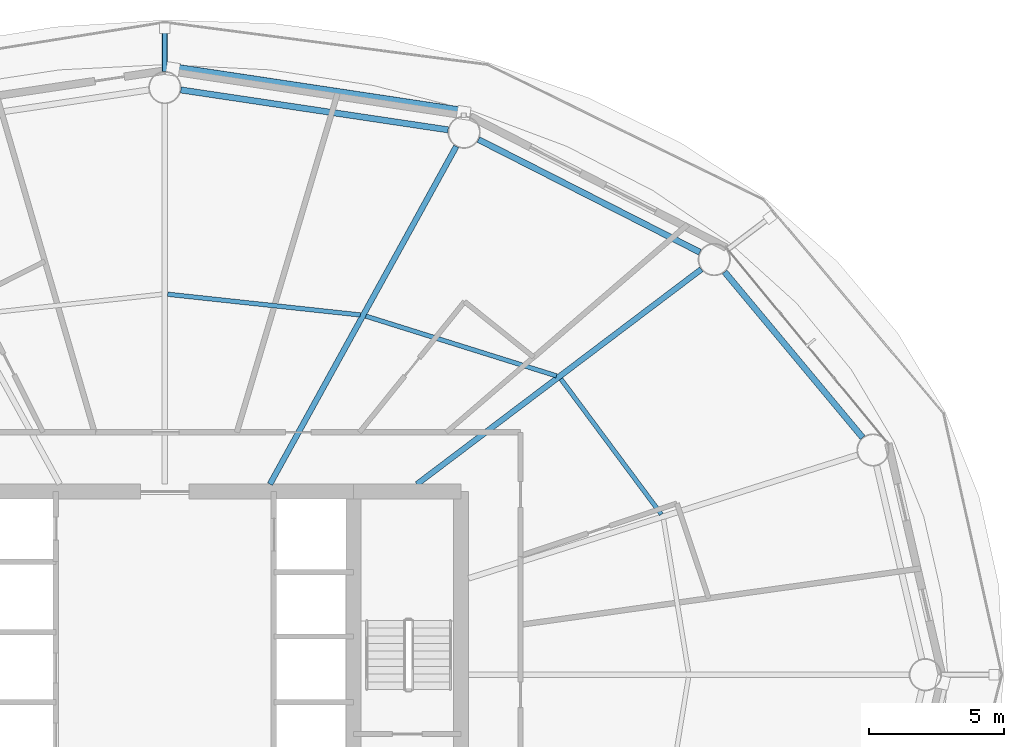
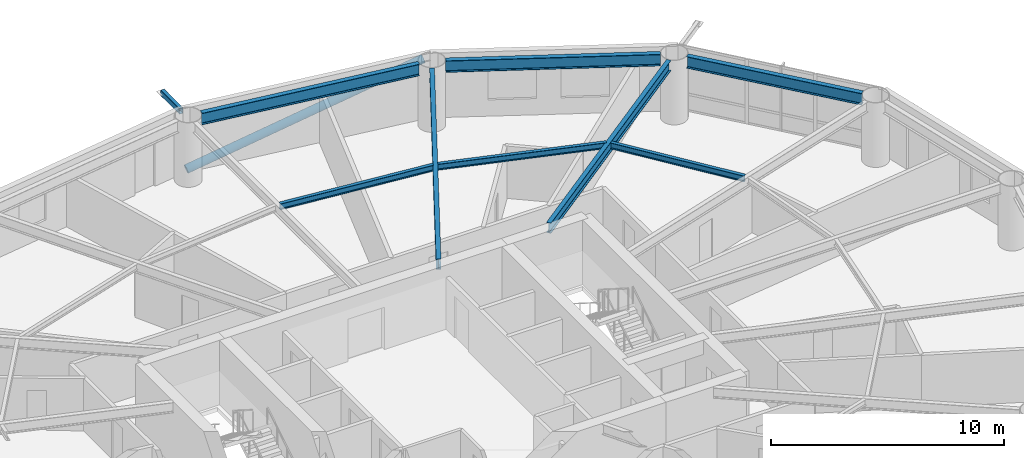
# One storey, part 11 of 24: 8 beams, 2 members.
"""IFC4 building model written with IfcOpenShell, lengths in metres."""

from ifc_helpers import new_model, si_unit, direction, frame, origin, origin_2d, place, context, subcontext, project, spatial, hollow_rectangle, hollow_circle, i_section, extrude, material, material_profile, profile_set, type_object, element, save


model = new_model("IFC4")

# Units and contexts
model_context = context("Model", 3, precision=1e-05, world=origin(), true_north=direction((0.0, 1.0)))
body_context = subcontext(model_context, "Body", "Model", "MODEL_VIEW")
ifc_project = project(units=[si_unit("LENGTHUNIT", "METRE"), si_unit("AREAUNIT", "SQUARE_METRE"), si_unit("VOLUMEUNIT", "CUBIC_METRE"), si_unit("PLANEANGLEUNIT", "RADIAN"), si_unit("MASSUNIT", "GRAM", prefix="KILO")], contexts=[model_context])

# Site, building, storey
site_placement = place(None, origin())
site = spatial("IfcSite", under=ifc_project, at=site_placement, CompositionType="ELEMENT")
building_placement = place(site_placement, origin())
building = spatial("IfcBuilding", under=site, at=building_placement, Name="Sarneth Arch Tower", CompositionType="ELEMENT")
storey_placement = place(building_placement, frame((0.0, 0.0, 116.39990234375)))
storey = spatial("IfcBuildingStorey", under=building, at=storey_placement, Name="L29", CompositionType="ELEMENT", Elevation=116.39990234375)

# Beams
ifc_material_1 = material(Name="Steel S355", Category="steel")
ifc_material_profile_1 = material_profile(ifc_material_1, i_section(OverallWidth=0.1669921875, OverallDepth=0.31689453125, WebThickness=0.007568359375, FlangeThickness=0.01318359375, FilletRadius=0.012939453125, at=origin_2d()), Name="W310x52")
ifc_profile_set_1 = profile_set([ifc_material_profile_1], Name="Steel S355")
beam_type_1 = type_object("IfcBeamType", Name="BM-JOIST-310B", PredefinedType="JOIST", material=ifc_profile_set_1)
beam_1_placement = place(storey_placement, frame((66.434326171875, 47.9541015625, 3.2216796875), z_axis=(-0.596098474255, 0.802911333206, 0.0), x_axis=(-0.802911333206, -0.596098474255, 0.0)))
element("IfcBeam", 1, at=beam_1_placement, inside=storey, type_object=beam_type_1, Name="L29 Secondary floor joist 02", PredefinedType="JOIST", context=body_context, shape_type="SweptSolid", body=[
    extrude(i_section(OverallWidth=0.1669921875, OverallDepth=0.31689453125, WebThickness=0.007568359375, FlangeThickness=0.01318359375, FilletRadius=0.012939453125, at=origin_2d()), origin(), (0.0, 0.0, 1.0), 6.259033203125),
])
beam_2_placement = place(storey_placement, frame((62.539794921875, 53.095703125, 3.2216796875), z_axis=(-0.954245982384, 0.299022750146, 0.0), x_axis=(-0.299022750146, -0.954245982384, 0.0)))
element("IfcBeam", 2, at=beam_2_placement, inside=storey, type_object=beam_type_1, Name="L29 Secondary floor joist 03", PredefinedType="JOIST", context=body_context, shape_type="SweptSolid", body=[
    extrude(i_section(OverallWidth=0.1669921875, OverallDepth=0.31689453125, WebThickness=0.007568359375, FlangeThickness=0.01318359375, FilletRadius=0.012939453125, at=origin_2d()), origin(), (0.0, 0.0, 1.0), 7.416748046875),
])
beam_3_placement = place(storey_placement, frame((55.2568359375, 55.3564453125, 3.2216796875), z_axis=(-0.994257420028, 0.107014871487, 0.0), x_axis=(-0.107014871487, -0.994257420028, 0.0)))
element("IfcBeam", 3, at=beam_3_placement, inside=storey, type_object=beam_type_1, Name="L29 Secondary floor joist 04", PredefinedType="JOIST", context=body_context, shape_type="SweptSolid", body=[
    extrude(i_section(OverallWidth=0.1669921875, OverallDepth=0.31689453125, WebThickness=0.007568359375, FlangeThickness=0.01318359375, FilletRadius=0.012939453125, at=origin_2d()), origin(), (0.0, 0.0, 1.0), 7.193115234375),
])
ifc_material_2 = material(Name="Steel S355", Category="steel")
ifc_material_profile_2 = material_profile(ifc_material_2, i_section(OverallWidth=0.2109375, OverallDepth=0.5390625, WebThickness=0.01171875, FlangeThickness=0.018798828125, FilletRadius=0.01806640625, at=origin_2d()), Name="W530x109")
ifc_profile_set_2 = profile_set([ifc_material_profile_2], Name="Steel S355")
beam_type_2 = type_object("IfcBeamType", Name="BM-RAD-530B", PredefinedType="BEAM", material=ifc_profile_set_2)
beam_4_placement = place(storey_placement, frame((57.36181640625, 49.074951171875, 3.110595703125), z_axis=(0.797802835234, 0.602918432371, 0.0), x_axis=(-0.602918432371, 0.797802835234, 0.0)))
element("IfcBeam", 4, at=beam_4_placement, inside=storey, type_object=beam_type_2, Name="L29 Radial floor girder 03", PredefinedType="BEAM", context=body_context, shape_type="SweptSolid", body=[
    extrude(i_section(OverallWidth=0.2109375, OverallDepth=0.5390625, WebThickness=0.01171875, FlangeThickness=0.018798828125, FilletRadius=0.01806640625, at=origin_2d()), origin(), (0.0, 0.0, 1.0), 13.232666015625),
])
beam_5_placement = place(storey_placement, frame((51.90283203125, 49.074951171875, 3.110595703125), z_axis=(0.483021011336, 0.875608761153, 0.0), x_axis=(-0.875608761153, 0.483021011336, 0.0)))
element("IfcBeam", 5, at=beam_5_placement, inside=storey, type_object=beam_type_2, Name="L29 Radial floor girder 04", PredefinedType="BEAM", context=body_context, shape_type="SweptSolid", body=[
    extrude(i_section(OverallWidth=0.2109375, OverallDepth=0.5390625, WebThickness=0.01171875, FlangeThickness=0.018798828125, FilletRadius=0.01806640625, at=origin_2d()), origin(), (0.0, 0.0, 1.0), 14.32177734375),
])
ifc_material_3 = material(Name="Steel S355", Category="steel")
ifc_material_profile_3 = material_profile(ifc_material_3, i_section(OverallWidth=0.22900390625, OverallDepth=0.612060546875, WebThickness=0.011962890625, FlangeThickness=0.01953125, FilletRadius=0.01904296875, at=origin_2d()), Name="W610x125")
ifc_profile_set_3 = profile_set([ifc_material_profile_3], Name="Steel S355")
beam_type_3 = type_object("IfcBeamType", Name="BM-SPAN-610C", PredefinedType="SPANDREL", material=ifc_profile_set_3)
beam_6_placement = place(storey_placement, frame((73.906982421875, 50.803466796875, 3.07421875), z_axis=(-0.640163403463, 0.768238775946, 0.0), x_axis=(-0.768238775946, -0.640163403463, 0.0)))
element("IfcBeam", 6, at=beam_6_placement, inside=storey, type_object=beam_type_3, Name="L29 Perimeter spandrel beam 02", PredefinedType="SPANDREL", context=body_context, shape_type="SweptSolid", body=[
    extrude(i_section(OverallWidth=0.22900390625, OverallDepth=0.612060546875, WebThickness=0.011962890625, FlangeThickness=0.01953125, FilletRadius=0.01904296875, at=origin_2d()), origin(), (0.0, 0.0, 1.0), 8.006103515625),
])
beam_7_placement = place(storey_placement, frame((67.86279296875, 57.68701171875, 3.07421875), z_axis=(-0.891259443414, 0.453493775619, 0.0), x_axis=(-0.453493775619, -0.891259443414, 0.0)))
element("IfcBeam", 7, at=beam_7_placement, inside=storey, type_object=beam_type_3, Name="L29 Perimeter spandrel beam 03", PredefinedType="SPANDREL", context=body_context, shape_type="SweptSolid", body=[
    extrude(i_section(OverallWidth=0.22900390625, OverallDepth=0.612060546875, WebThickness=0.011962890625, FlangeThickness=0.01953125, FilletRadius=0.01904296875, at=origin_2d()), origin(), (0.0, 0.0, 1.0), 9.220458984375),
])
beam_8_placement = place(storey_placement, frame((58.516845703125, 62.229248046875, 3.07421875), z_axis=(-0.989028613319, 0.147724073992, 0.0), x_axis=(-0.147724073992, -0.989028613319, 0.0)))
element("IfcBeam", 8, at=beam_8_placement, inside=storey, type_object=beam_type_3, Name="L29 Perimeter spandrel beam 04", PredefinedType="SPANDREL", context=body_context, shape_type="SweptSolid", body=[
    extrude(i_section(OverallWidth=0.22900390625, OverallDepth=0.612060546875, WebThickness=0.011962890625, FlangeThickness=0.01953125, FilletRadius=0.01904296875, at=origin_2d()), origin(), (0.0, 0.0, 1.0), 10.033447265625),
])

# Members
ifc_material_4 = material(Name="Steel S355", Category="steel")
ifc_material_profile_4 = material_profile(ifc_material_4, hollow_rectangle(XDim=0.199951171875, YDim=0.300048828125, WallThickness=0.012451171875, InnerFilletRadius=0.018798828125, OuterFilletRadius=0.03125, at=origin_2d()), Name="RHS300x200x12.5")
ifc_profile_set_4 = profile_set([ifc_material_profile_4], Name="Steel S355")
member_type_1 = type_object("IfcMemberType", Name="MEM-CANT-STRUT", PredefinedType="STRUT", material=ifc_profile_set_4)
member_1_placement = place(storey_placement, frame((48.0, 64.39990234375, 3.22021484375), z_axis=(0.0, 1.0, 0.0), x_axis=(-1.0, 0.0, 0.0)))
element("IfcMember", 9, at=member_1_placement, inside=storey, type_object=member_type_1, Name="L29 Balcony cantilever bracket 05", PredefinedType="STRUT", context=body_context, shape_type="SweptSolid", body=[
    extrude(hollow_rectangle(XDim=0.199951171875, YDim=0.300048828125, WallThickness=0.012451171875, InnerFilletRadius=0.018798828125, OuterFilletRadius=0.03125, at=origin_2d()), origin(), (0.0, 0.0, 1.0), 1.598388671875),
])
ifc_material_5 = material(Name="Steel S355", Category="steel")
ifc_material_profile_5 = material_profile(ifc_material_5, hollow_circle(Radius=0.202880859375, WallThickness=0.01611328125, at=origin_2d()), Name="CHS406x16")
ifc_profile_set_5 = profile_set([ifc_material_profile_5], Name="Steel S355")
member_type_2 = type_object("IfcMemberType", Name="MEM-DIAG-BR2", PredefinedType="BRACE", material=ifc_profile_set_5)
member_2_placement = place(storey_placement, frame((48.296630859375, 64.4853515625, 0.02001953125), z_axis=(0.953667510586, -0.143607606182, 0.26437688004), x_axis=(0.148905755657, 0.988851392239, 0.0)))
element("IfcMember", 10, at=member_2_placement, inside=storey, type_object=member_type_2, Name="L29 Perimeter frame diagonal 04", PredefinedType="BRACE", context=body_context, shape_type="SweptSolid", body=[
    extrude(hollow_circle(Radius=0.202880859375, WallThickness=0.01611328125, at=origin_2d()), origin(), (0.0, 0.0, 1.0), 11.320556640625),
])

save(model, "model.ifc")
